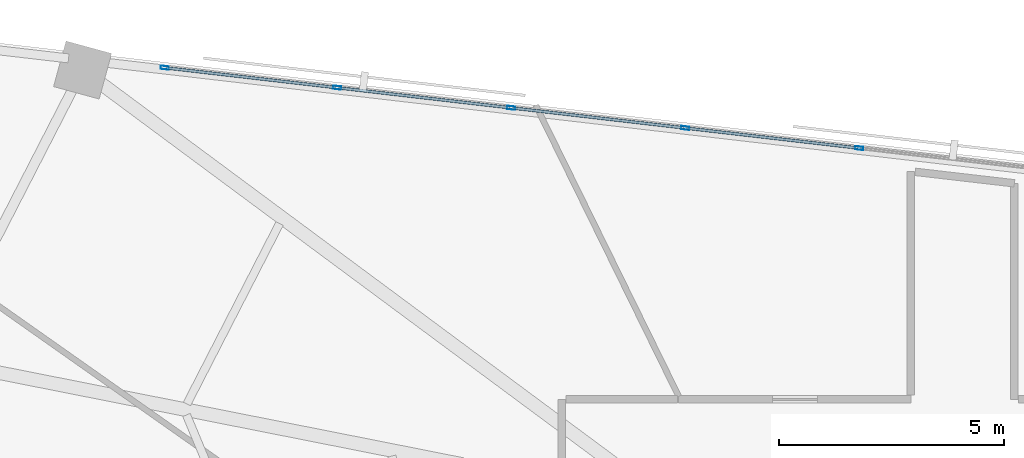
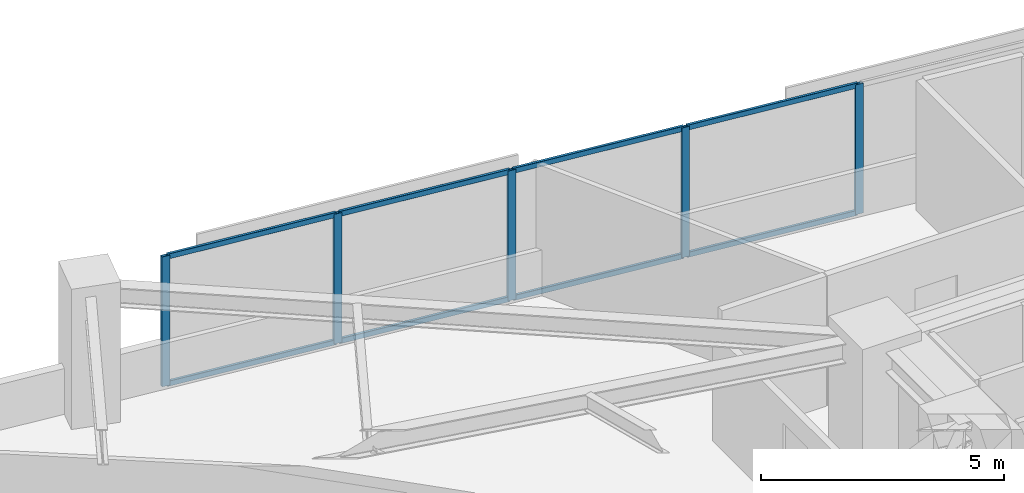
# One storey, part 7 of 14: 13 members, 1 element without a shape of its own.
"""IFC4 building model written with IfcOpenShell, lengths in metres."""

from ifc_helpers import new_model, si_unit, direction, frame, origin, origin_2d, place, context, subcontext, project, spatial, hollow_rectangle, extrude, material, material_profile, profile_set, type_object, element, aggregate, save


model = new_model("IFC4")

# Units and contexts
model_context = context("Model", 3, precision=1e-05, world=origin(), true_north=direction((0.0, 1.0)))
body_context = subcontext(model_context, "Body", "Model", "MODEL_VIEW")
ifc_project = project(units=[si_unit("LENGTHUNIT", "METRE"), si_unit("AREAUNIT", "SQUARE_METRE"), si_unit("VOLUMEUNIT", "CUBIC_METRE"), si_unit("PLANEANGLEUNIT", "RADIAN"), si_unit("MASSUNIT", "GRAM", prefix="KILO")], contexts=[model_context])

# Site, building, storey
site_placement = place(None, origin())
site = spatial("IfcSite", under=ifc_project, at=site_placement, CompositionType="ELEMENT")
building_placement = place(site_placement, origin())
building = spatial("IfcBuilding", under=site, at=building_placement, Name="Narakoshi Arena Tower", CompositionType="ELEMENT")
storey_placement = place(building_placement, frame((0.0, 0.0, 214.97998046875)))
storey = spatial("IfcBuildingStorey", under=building, at=storey_placement, Name="L58", CompositionType="ELEMENT", Elevation=214.97998046875)

# Curtain wall, members
ifc_material = material(Name="Anodised bronze aluminium 6063-T6", Category="aluminium")
curtain_wall_type = type_object("IfcCurtainWallType", Name="CW-HYP-MID", PredefinedType="NOTDEFINED", material=ifc_material)
curtain_wall_placement = place(storey_placement, origin())
curtain_wall = element("IfcCurtainWall", 1, at=curtain_wall_placement, inside=storey, type_object=curtain_wall_type, Name="L58 Folded Hypotenuse Curtain Wall 2-1", PredefinedType="NOTDEFINED")
ifc_material_profile_1 = material_profile(ifc_material, hollow_rectangle(XDim=0.074951171875, YDim=0.179931640625, WallThickness=0.00390625, OuterFilletRadius=0.0048828125, at=origin_2d()), Name="MUL180x75x4")
ifc_profile_set_1 = profile_set([ifc_material_profile_1], Name="Anodised bronze aluminium 6063-T6")
member_type_1 = type_object("IfcMemberType", Name="MEM-MUL-180", PredefinedType="MULLION", material=ifc_profile_set_1)
member_1_placement = place(storey_placement, frame((76.20068359375, 64.446533203125, 0.0), z_axis=(0.0, 0.0, 1.0), x_axis=(-0.115011296816, -0.993364183774, 0.0)))
member_1 = element("IfcMember", 2, at=member_1_placement, type_object=member_type_1, Name="CW-02 mullion 3", PredefinedType="MULLION", context=body_context, shape_type="SweptSolid", body=[
    extrude(hollow_rectangle(XDim=0.074951171875, YDim=0.179931640625, WallThickness=0.00390625, OuterFilletRadius=0.0048828125, at=origin_2d()), origin(), (0.0, 0.0, 1.0), 3.260009765625),
])
member_2_placement = place(storey_placement, frame((72.33154296875, 64.894287109375, 0.0), z_axis=(0.0, 0.0, 1.0), x_axis=(-0.115011296816, -0.993364183774, 0.0)))
member_2 = element("IfcMember", 3, at=member_2_placement, type_object=member_type_1, Name="CW-02 mullion 4", PredefinedType="MULLION", context=body_context, shape_type="SweptSolid", body=[
    extrude(hollow_rectangle(XDim=0.074951171875, YDim=0.179931640625, WallThickness=0.00390625, OuterFilletRadius=0.0048828125, at=origin_2d()), origin(), (0.0, 0.0, 1.0), 3.260009765625),
])
member_3_placement = place(storey_placement, frame((68.46240234375, 65.34228515625, 0.0), z_axis=(0.0, 0.0, 1.0), x_axis=(-0.115011296816, -0.993364183774, 0.0)))
member_3 = element("IfcMember", 4, at=member_3_placement, type_object=member_type_1, Name="CW-02 mullion 5", PredefinedType="MULLION", context=body_context, shape_type="SweptSolid", body=[
    extrude(hollow_rectangle(XDim=0.074951171875, YDim=0.179931640625, WallThickness=0.00390625, OuterFilletRadius=0.0048828125, at=origin_2d()), origin(), (0.0, 0.0, 1.0), 3.260009765625),
])
member_4_placement = place(storey_placement, frame((64.59326171875, 65.790283203125, 0.0), z_axis=(0.0, 0.0, 1.0), x_axis=(-0.115011296816, -0.993364183774, 0.0)))
member_4 = element("IfcMember", 5, at=member_4_placement, type_object=member_type_1, Name="CW-02 mullion 6", PredefinedType="MULLION", context=body_context, shape_type="SweptSolid", body=[
    extrude(hollow_rectangle(XDim=0.074951171875, YDim=0.179931640625, WallThickness=0.00390625, OuterFilletRadius=0.0048828125, at=origin_2d()), origin(), (0.0, 0.0, 1.0), 3.260009765625),
])
member_5_placement = place(storey_placement, frame((60.76123046875, 66.23388671875, 0.0), z_axis=(0.0, 0.0, 1.0), x_axis=(-0.115011296816, -0.993364183774, 0.0)))
member_5 = element("IfcMember", 6, at=member_5_placement, type_object=member_type_1, Name="CW-02 mullion 7", PredefinedType="MULLION", context=body_context, shape_type="SweptSolid", body=[
    extrude(hollow_rectangle(XDim=0.074951171875, YDim=0.179931640625, WallThickness=0.00390625, OuterFilletRadius=0.0048828125, at=origin_2d()), origin(), (0.0, 0.0, 1.0), 3.260009765625),
])
ifc_material_profile_2 = material_profile(ifc_material, hollow_rectangle(XDim=0.06494140625, YDim=0.1298828125, WallThickness=0.00390625, OuterFilletRadius=0.0048828125, at=origin_2d()), Name="TRN130x65x4")
ifc_profile_set_2 = profile_set([ifc_material_profile_2], Name="Anodised bronze aluminium 6063-T6")
member_type_2 = type_object("IfcMemberType", Name="MEM-TRN-130", PredefinedType="USERDEFINED", material=ifc_profile_set_2)
member_6_placement = place(storey_placement, frame((76.163330078125, 64.45068359375, 0.032470703125), z_axis=(-0.993360986362, 0.115038909828, 0.0), x_axis=(-0.115038909828, -0.993360986362, 0.0)))
member_6 = element("IfcMember", 7, at=member_6_placement, type_object=member_type_2, Name="CW-02 transom 3.1", ObjectType="TRANSOM", PredefinedType="USERDEFINED", context=body_context, shape_type="SweptSolid", body=[
    extrude(hollow_rectangle(XDim=0.06494140625, YDim=0.1298828125, WallThickness=0.00390625, OuterFilletRadius=0.0048828125, at=origin_2d()), origin(), (0.0, 0.0, 1.0), 3.820068359375),
])
member_7_placement = place(storey_placement, frame((76.163330078125, 64.45068359375, 3.2275390625), z_axis=(-0.993360986362, 0.115038909828, 0.0), x_axis=(-0.115038909828, -0.993360986362, 0.0)))
member_7 = element("IfcMember", 8, at=member_7_placement, type_object=member_type_2, Name="CW-02 transom 3.2", ObjectType="TRANSOM", PredefinedType="USERDEFINED", context=body_context, shape_type="SweptSolid", body=[
    extrude(hollow_rectangle(XDim=0.06494140625, YDim=0.1298828125, WallThickness=0.00390625, OuterFilletRadius=0.0048828125, at=origin_2d()), origin(), (0.0, 0.0, 1.0), 3.820068359375),
])
member_8_placement = place(storey_placement, frame((72.294189453125, 64.898681640625, 0.032470703125), z_axis=(-0.993360986362, 0.115038909828, 0.0), x_axis=(-0.115038909828, -0.993360986362, 0.0)))
member_8 = element("IfcMember", 9, at=member_8_placement, type_object=member_type_2, Name="CW-02 transom 4.1", ObjectType="TRANSOM", PredefinedType="USERDEFINED", context=body_context, shape_type="SweptSolid", body=[
    extrude(hollow_rectangle(XDim=0.06494140625, YDim=0.1298828125, WallThickness=0.00390625, OuterFilletRadius=0.0048828125, at=origin_2d()), origin(), (0.0, 0.0, 1.0), 3.820068359375),
])
member_9_placement = place(storey_placement, frame((72.294189453125, 64.898681640625, 3.2275390625), z_axis=(-0.993360986362, 0.115038909828, 0.0), x_axis=(-0.115038909828, -0.993360986362, 0.0)))
member_9 = element("IfcMember", 10, at=member_9_placement, type_object=member_type_2, Name="CW-02 transom 4.2", ObjectType="TRANSOM", PredefinedType="USERDEFINED", context=body_context, shape_type="SweptSolid", body=[
    extrude(hollow_rectangle(XDim=0.06494140625, YDim=0.1298828125, WallThickness=0.00390625, OuterFilletRadius=0.0048828125, at=origin_2d()), origin(), (0.0, 0.0, 1.0), 3.820068359375),
])
member_10_placement = place(storey_placement, frame((68.425048828125, 65.3466796875, 0.032470703125), z_axis=(-0.993360986362, 0.115038909828, 0.0), x_axis=(-0.115038909828, -0.993360986362, 0.0)))
member_10 = element("IfcMember", 11, at=member_10_placement, type_object=member_type_2, Name="CW-02 transom 5.1", ObjectType="TRANSOM", PredefinedType="USERDEFINED", context=body_context, shape_type="SweptSolid", body=[
    extrude(hollow_rectangle(XDim=0.06494140625, YDim=0.1298828125, WallThickness=0.00390625, OuterFilletRadius=0.0048828125, at=origin_2d()), origin(), (0.0, 0.0, 1.0), 3.820068359375),
])
member_11_placement = place(storey_placement, frame((68.425048828125, 65.3466796875, 3.2275390625), z_axis=(-0.993360986362, 0.115038909828, 0.0), x_axis=(-0.115038909828, -0.993360986362, 0.0)))
member_11 = element("IfcMember", 12, at=member_11_placement, type_object=member_type_2, Name="CW-02 transom 5.2", ObjectType="TRANSOM", PredefinedType="USERDEFINED", context=body_context, shape_type="SweptSolid", body=[
    extrude(hollow_rectangle(XDim=0.06494140625, YDim=0.1298828125, WallThickness=0.00390625, OuterFilletRadius=0.0048828125, at=origin_2d()), origin(), (0.0, 0.0, 1.0), 3.820068359375),
])
member_12_placement = place(storey_placement, frame((64.555908203125, 65.794677734375, 0.032470703125), z_axis=(-0.993363061903, 0.115020986115, 0.0), x_axis=(-0.115020986115, -0.993363061903, 0.0)))
member_12 = element("IfcMember", 13, at=member_12_placement, type_object=member_type_2, Name="CW-02 transom 6.1", ObjectType="TRANSOM", PredefinedType="USERDEFINED", context=body_context, shape_type="SweptSolid", body=[
    extrude(hollow_rectangle(XDim=0.06494140625, YDim=0.1298828125, WallThickness=0.00390625, OuterFilletRadius=0.0048828125, at=origin_2d()), origin(), (0.0, 0.0, 1.0), 3.782470703125),
])
member_13_placement = place(storey_placement, frame((64.555908203125, 65.794677734375, 3.2275390625), z_axis=(-0.993363061903, 0.115020986115, 0.0), x_axis=(-0.115020986115, -0.993363061903, 0.0)))
member_13 = element("IfcMember", 14, at=member_13_placement, type_object=member_type_2, Name="CW-02 transom 6.2", ObjectType="TRANSOM", PredefinedType="USERDEFINED", context=body_context, shape_type="SweptSolid", body=[
    extrude(hollow_rectangle(XDim=0.06494140625, YDim=0.1298828125, WallThickness=0.00390625, OuterFilletRadius=0.0048828125, at=origin_2d()), origin(), (0.0, 0.0, 1.0), 3.782470703125),
])
aggregate(curtain_wall, [member_1, member_2, member_3, member_4, member_5, member_6, member_7, member_8, member_9, member_10, member_11, member_12, member_13])

save(model, "model.ifc")
